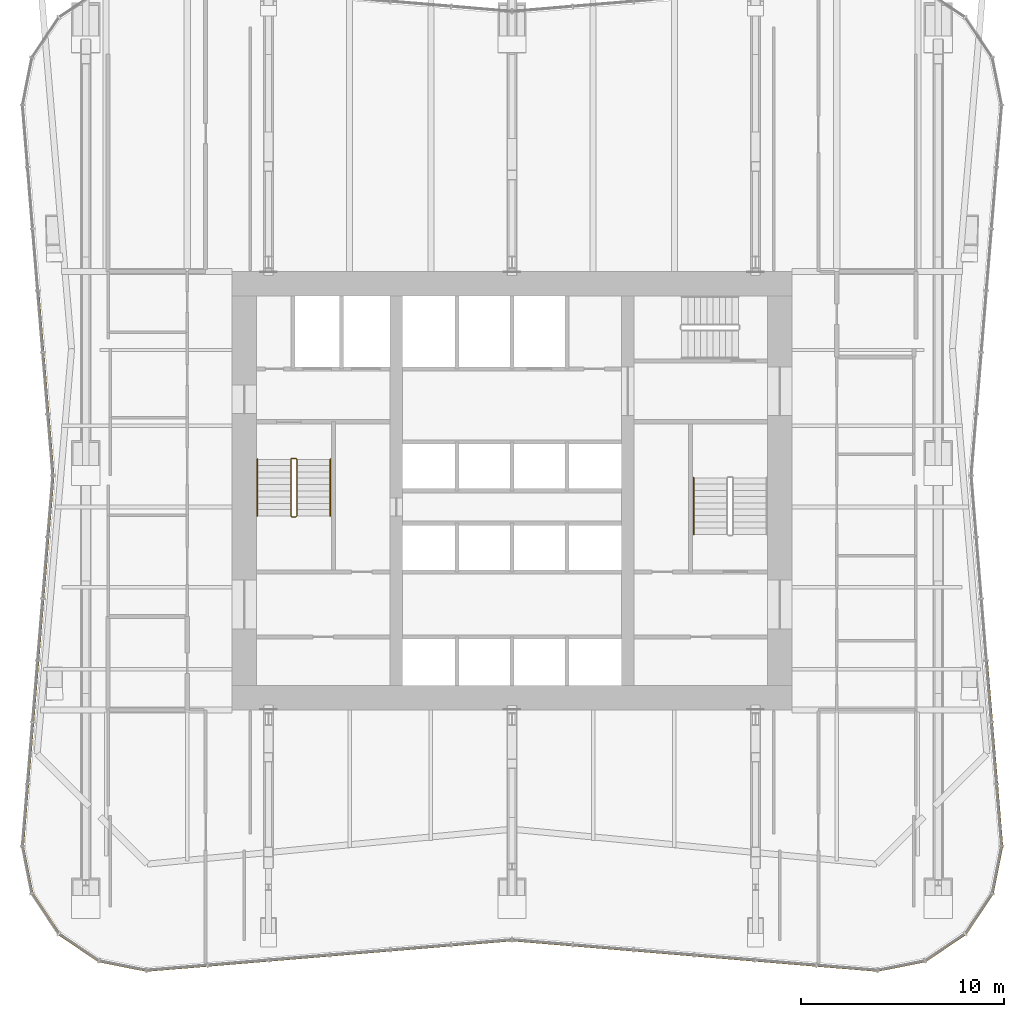
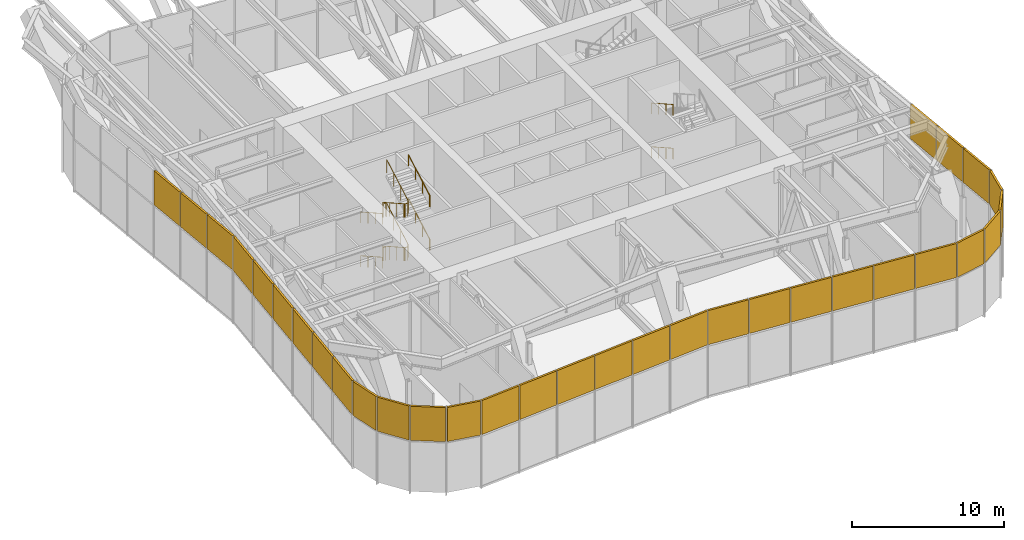
# One storey, part 15 of 17: 32 shading devices, 7 railings, 5 elements without a shape of their own.
"""IFC4 building model written with IfcOpenShell, lengths in metres."""

from ifc_helpers import new_model, si_unit, direction, frame, origin, origin_2d, place, context, subcontext, project, spatial, rectangle, circle, extrude, material, layer, layer_set, type_object, element, aggregate, save


model = new_model("IFC4")

# Units and contexts
model_context = context("Model", 3, precision=1e-05, world=origin(), true_north=direction((0.0, 1.0)))
body_context = subcontext(model_context, "Body", "Model", "MODEL_VIEW")
ifc_project = project(units=[si_unit("LENGTHUNIT", "METRE"), si_unit("AREAUNIT", "SQUARE_METRE"), si_unit("VOLUMEUNIT", "CUBIC_METRE"), si_unit("PLANEANGLEUNIT", "RADIAN"), si_unit("MASSUNIT", "GRAM", prefix="KILO")], contexts=[model_context])

# Site, building, storey
site_placement = place(None, origin())
site = spatial("IfcSite", under=ifc_project, at=site_placement, CompositionType="ELEMENT")
building_placement = place(site_placement, origin())
building = spatial("IfcBuilding", under=site, at=building_placement, Name="Verdant Reach Tower", CompositionType="ELEMENT")
storey_placement = place(building_placement, frame((0.0, 0.0, 114.0)))
storey = spatial("IfcBuildingStorey", under=building, at=storey_placement, Name="L26 Plant", CompositionType="ELEMENT", Elevation=114.0)

# Railings
ifc_material_1 = material(Name="Stainless steel", Category="steel")
railing_type_1 = type_object("IfcRailingType", Name="CO-GUARD", PredefinedType="GUARDRAIL", material=ifc_material_1)
railing_1_placement = place(storey_placement, frame((-10.64990234375, 29.60009765625, 0.0)))
element("IfcRailing", 1, at=railing_1_placement, inside=storey, type_object=railing_type_1, Name="L26 Plant ST-1 stair guard 1", PredefinedType="GUARDRAIL", context=body_context, shape_type="SweptSolid", body=[
    extrude(circle(Radius=0.02392578125, at=origin_2d()), frame((0.0, 0.0, 1.076171875), z_axis=(-1.0, 0.0, 0.0), x_axis=(0.0, -1.0, 0.0)), (0.0, 0.0, 1.0), 0.2001953125),
    extrude(circle(Radius=0.02392578125, at=origin_2d()), frame((-0.2001953125, 0.0, 1.076171875), z_axis=(-0.263862480399, -0.265155923931, 0.927399011991), x_axis=(0.708833529934, -0.705375805398, 0.0)), (0.0, 0.0, 1.0), 0.188720703125),
    extrude(circle(Radius=0.02392578125, at=origin_2d()), frame((-0.25, -0.050048828125, 1.2509765625), z_axis=(0.0, -0.870833779661, 0.491577591232), x_axis=(1.0, 0.0, 0.0)), (0.0, 0.0, 1.0), 3.203857421875),
    extrude(circle(Radius=0.02392578125, at=origin_2d()), frame((-0.25, -2.840087890625, 2.826171875), z_axis=(0.705375805398, -0.708833529934, 0.0), x_axis=(0.708833529934, 0.705375805398, 0.0)), (0.0, 0.0, 1.0), 0.070556640625),
    extrude(circle(Radius=0.02392578125, at=origin_2d()), frame((-0.2001953125, -2.89013671875, 2.826171875), z_axis=(1.0, 0.0, 0.0), x_axis=(0.0, 1.0, 0.0)), (0.0, 0.0, 1.0), 0.2001953125),
    extrude(circle(Radius=0.02392578125, at=origin_2d()), frame((0.0, -2.89013671875, 2.826171875), z_axis=(0.263862480399, 0.265155923931, 0.927399011991), x_axis=(-0.708833529934, 0.705375805398, 0.0)), (0.0, 0.0, 1.0), 0.188720703125),
    extrude(circle(Radius=0.02392578125, at=origin_2d()), frame((0.0498046875, -2.840087890625, 3.0009765625), z_axis=(0.0, 0.870833779661, 0.491577591232), x_axis=(-1.0, 0.0, 0.0)), (0.0, 0.0, 1.0), 3.203857421875),
    extrude(circle(Radius=0.02392578125, at=origin_2d()), frame((0.0498046875, -0.050048828125, 4.576171875), z_axis=(-0.705375805398, 0.708833529934, 0.0), x_axis=(-0.708833529934, -0.705375805398, 0.0)), (0.0, 0.0, 1.0), 0.070556640625),
    extrude(circle(Radius=0.02392578125, at=origin_2d()), frame((0.0, 0.0, 4.576171875), z_axis=(-1.0, 0.0, 0.0), x_axis=(0.0, -1.0, 0.0)), (0.0, 0.0, 1.0), 0.2001953125),
    extrude(circle(Radius=0.02392578125, at=origin_2d()), frame((-0.2001953125, 0.0, 4.576171875), z_axis=(-0.263862480399, -0.265155923931, 0.927399011991), x_axis=(0.708833529934, -0.705375805398, 0.0)), (0.0, 0.0, 1.0), 0.188720703125),
    extrude(circle(Radius=0.02392578125, at=origin_2d()), frame((-0.25, -0.050048828125, 4.7509765625), z_axis=(0.0, -0.870833779661, 0.491577591232), x_axis=(1.0, 0.0, 0.0)), (0.0, 0.0, 1.0), 3.203857421875),
    extrude(circle(Radius=0.02392578125, at=origin_2d()), frame((-0.25, -2.840087890625, 6.326171875), z_axis=(0.705375805398, -0.708833529934, 0.0), x_axis=(0.708833529934, 0.705375805398, 0.0)), (0.0, 0.0, 1.0), 0.070556640625),
    extrude(circle(Radius=0.02392578125, at=origin_2d()), frame((-0.2001953125, -2.89013671875, 6.326171875), z_axis=(1.0, 0.0, 0.0), x_axis=(0.0, 1.0, 0.0)), (0.0, 0.0, 1.0), 0.2001953125),
    extrude(circle(Radius=0.02392578125, at=origin_2d()), frame((0.0, -2.89013671875, 6.326171875), z_axis=(0.263862480399, 0.265155923931, 0.927399011991), x_axis=(-0.708833529934, 0.705375805398, 0.0)), (0.0, 0.0, 1.0), 0.188720703125),
    extrude(circle(Radius=0.02392578125, at=origin_2d()), frame((0.0498046875, -2.840087890625, 6.5009765625), z_axis=(0.0, 0.870833779661, 0.491577591232), x_axis=(-1.0, 0.0, 0.0)), (0.0, 0.0, 1.0), 3.203857421875),
    extrude(circle(Radius=0.02099609375, at=origin_2d()), origin(), (0.0, 0.0, 1.0), 1.052001953125),
    extrude(circle(Radius=0.02099609375, at=origin_2d()), frame((-0.2001953125, 0.0, 0.0)), (0.0, 0.0, 1.0), 1.052001953125),
    extrude(circle(Radius=0.02099609375, at=origin_2d()), frame((-0.25, -0.050048828125, 0.175048828125)), (0.0, 0.0, 1.0), 1.052001953125),
    extrude(circle(Radius=0.02099609375, at=origin_2d()), frame((-0.25, -0.97998046875, 0.699951171875)), (0.0, 0.0, 1.0), 1.052001953125),
    extrude(circle(Radius=0.02099609375, at=origin_2d()), frame((-0.25, -1.91015625, 1.22509765625)), (0.0, 0.0, 1.0), 1.052001953125),
    extrude(circle(Radius=0.02099609375, at=origin_2d()), frame((-0.25, -2.840087890625, 1.75)), (0.0, 0.0, 1.0), 1.052001953125),
    extrude(circle(Radius=0.02099609375, at=origin_2d()), frame((-0.2001953125, -2.89013671875, 1.75)), (0.0, 0.0, 1.0), 1.052001953125),
    extrude(circle(Radius=0.02099609375, at=origin_2d()), frame((0.0, -2.89013671875, 1.75)), (0.0, 0.0, 1.0), 1.052001953125),
    extrude(circle(Radius=0.02099609375, at=origin_2d()), frame((0.0498046875, -2.840087890625, 1.925048828125)), (0.0, 0.0, 1.0), 1.052001953125),
    extrude(circle(Radius=0.02099609375, at=origin_2d()), frame((0.0498046875, -1.91015625, 2.449951171875)), (0.0, 0.0, 1.0), 1.052001953125),
    extrude(circle(Radius=0.02099609375, at=origin_2d()), frame((0.0498046875, -0.97998046875, 2.97509765625)), (0.0, 0.0, 1.0), 1.052001953125),
    extrude(circle(Radius=0.02099609375, at=origin_2d()), frame((0.0498046875, -0.050048828125, 3.5)), (0.0, 0.0, 1.0), 1.052001953125),
    extrude(circle(Radius=0.02099609375, at=origin_2d()), frame((0.0, 0.0, 3.5)), (0.0, 0.0, 1.0), 1.052001953125),
    extrude(circle(Radius=0.02099609375, at=origin_2d()), frame((-0.2001953125, 0.0, 3.5)), (0.0, 0.0, 1.0), 1.052001953125),
    extrude(circle(Radius=0.02099609375, at=origin_2d()), frame((-0.25, -0.050048828125, 3.675048828125)), (0.0, 0.0, 1.0), 1.052001953125),
    extrude(circle(Radius=0.02099609375, at=origin_2d()), frame((-0.25, -0.97998046875, 4.199951171875)), (0.0, 0.0, 1.0), 1.052001953125),
    extrude(circle(Radius=0.02099609375, at=origin_2d()), frame((-0.25, -1.91015625, 4.72509765625)), (0.0, 0.0, 1.0), 1.052001953125),
    extrude(circle(Radius=0.02099609375, at=origin_2d()), frame((-0.25, -2.840087890625, 5.25)), (0.0, 0.0, 1.0), 1.052001953125),
    extrude(circle(Radius=0.02099609375, at=origin_2d()), frame((-0.2001953125, -2.89013671875, 5.25)), (0.0, 0.0, 1.0), 1.052001953125),
    extrude(circle(Radius=0.02099609375, at=origin_2d()), frame((0.0, -2.89013671875, 5.25)), (0.0, 0.0, 1.0), 1.052001953125),
    extrude(circle(Radius=0.02099609375, at=origin_2d()), frame((0.0498046875, -2.840087890625, 5.425048828125)), (0.0, 0.0, 1.0), 1.052001953125),
    extrude(circle(Radius=0.02099609375, at=origin_2d()), frame((0.0498046875, -1.91015625, 5.949951171875)), (0.0, 0.0, 1.0), 1.052001953125),
    extrude(circle(Radius=0.02099609375, at=origin_2d()), frame((0.0498046875, -0.97998046875, 6.47509765625)), (0.0, 0.0, 1.0), 1.052001953125),
    extrude(circle(Radius=0.02099609375, at=origin_2d()), frame((0.0498046875, -0.050048828125, 7.0)), (0.0, 0.0, 1.0), 1.052001953125),
])
railing_type_2 = type_object("IfcRailingType", Name="CO-HANDRAIL", PredefinedType="HANDRAIL", material=ifc_material_1)
railing_2_placement = place(storey_placement, frame((-12.550048828125, 29.550048828125, 0.175048828125)))
element("IfcRailing", 2, at=railing_2_placement, inside=storey, type_object=railing_type_2, Name="L26 Plant ST-1 stair handrail 1", PredefinedType="HANDRAIL", context=body_context, shape_type="SweptSolid", body=[
    extrude(circle(Radius=0.02392578125, at=origin_2d()), frame((0.0, 0.0, 0.8759765625), z_axis=(0.0, -0.870833779661, 0.491577591232), x_axis=(1.0, 0.0, 0.0)), (0.0, 0.0, 1.0), 3.203857421875),
    extrude(circle(Radius=0.02099609375, at=origin_2d()), origin(), (0.0, 0.0, 1.0), 0.851806640625),
    extrude(circle(Radius=0.02099609375, at=origin_2d()), frame((0.0, -0.929931640625, 0.52490234375)), (0.0, 0.0, 1.0), 0.851806640625),
    extrude(circle(Radius=0.02099609375, at=origin_2d()), frame((0.0, -1.860107421875, 1.050048828125)), (0.0, 0.0, 1.0), 0.851806640625),
    extrude(circle(Radius=0.02099609375, at=origin_2d()), frame((0.0, -2.7900390625, 1.574951171875)), (0.0, 0.0, 1.0), 0.851806640625),
])
railing_3_placement = place(storey_placement, frame((-8.949951171875, 26.760009765625, 1.925048828125)))
element("IfcRailing", 3, at=railing_3_placement, inside=storey, type_object=railing_type_2, Name="L26 Plant ST-1 stair handrail 2", PredefinedType="HANDRAIL", context=body_context, shape_type="SweptSolid", body=[
    extrude(circle(Radius=0.02392578125, at=origin_2d()), frame((0.0, 0.0, 0.8759765625), z_axis=(0.0, 0.870833779661, 0.491577591232), x_axis=(-1.0, 0.0, 0.0)), (0.0, 0.0, 1.0), 3.203857421875),
    extrude(circle(Radius=0.02099609375, at=origin_2d()), origin(), (0.0, 0.0, 1.0), 0.851806640625),
    extrude(circle(Radius=0.02099609375, at=origin_2d()), frame((0.0, 0.929931640625, 0.52490234375)), (0.0, 0.0, 1.0), 0.851806640625),
    extrude(circle(Radius=0.02099609375, at=origin_2d()), frame((0.0, 1.860107421875, 1.050048828125)), (0.0, 0.0, 1.0), 0.851806640625),
    extrude(circle(Radius=0.02099609375, at=origin_2d()), frame((0.0, 2.7900390625, 1.574951171875)), (0.0, 0.0, 1.0), 0.851806640625),
])
railing_4_placement = place(storey_placement, frame((-12.550048828125, 29.550048828125, 3.675048828125)))
element("IfcRailing", 4, at=railing_4_placement, inside=storey, type_object=railing_type_2, Name="L26 Plant ST-1 stair handrail 3", PredefinedType="HANDRAIL", context=body_context, shape_type="SweptSolid", body=[
    extrude(circle(Radius=0.02392578125, at=origin_2d()), frame((0.0, 0.0, 0.8759765625), z_axis=(0.0, -0.870833779661, 0.491577591232), x_axis=(1.0, 0.0, 0.0)), (0.0, 0.0, 1.0), 3.203857421875),
    extrude(circle(Radius=0.02099609375, at=origin_2d()), origin(), (0.0, 0.0, 1.0), 0.851806640625),
    extrude(circle(Radius=0.02099609375, at=origin_2d()), frame((0.0, -0.929931640625, 0.52490234375)), (0.0, 0.0, 1.0), 0.851806640625),
    extrude(circle(Radius=0.02099609375, at=origin_2d()), frame((0.0, -1.860107421875, 1.050048828125)), (0.0, 0.0, 1.0), 0.851806640625),
    extrude(circle(Radius=0.02099609375, at=origin_2d()), frame((0.0, -2.7900390625, 1.574951171875)), (0.0, 0.0, 1.0), 0.851806640625),
])
railing_5_placement = place(storey_placement, frame((-8.949951171875, 26.760009765625, 5.425048828125)))
element("IfcRailing", 5, at=railing_5_placement, inside=storey, type_object=railing_type_2, Name="L26 Plant ST-1 stair handrail 4", PredefinedType="HANDRAIL", context=body_context, shape_type="SweptSolid", body=[
    extrude(circle(Radius=0.02392578125, at=origin_2d()), frame((0.0, 0.0, 0.8759765625), z_axis=(0.0, 0.870833779661, 0.491577591232), x_axis=(-1.0, 0.0, 0.0)), (0.0, 0.0, 1.0), 3.203857421875),
    extrude(circle(Radius=0.02099609375, at=origin_2d()), origin(), (0.0, 0.0, 1.0), 0.851806640625),
    extrude(circle(Radius=0.02099609375, at=origin_2d()), frame((0.0, 0.929931640625, 0.52490234375)), (0.0, 0.0, 1.0), 0.851806640625),
    extrude(circle(Radius=0.02099609375, at=origin_2d()), frame((0.0, 1.860107421875, 1.050048828125)), (0.0, 0.0, 1.0), 0.851806640625),
    extrude(circle(Radius=0.02099609375, at=origin_2d()), frame((0.0, 2.7900390625, 1.574951171875)), (0.0, 0.0, 1.0), 0.851806640625),
])
for number, where, name in (
    (6, (8.949951171875, 28.639892578125, 1.925048828125), "L26 Plant ST-2 stair handrail 2"),
    (7, (8.949951171875, 28.639892578125, 5.425048828125), "L26 Plant ST-2 stair handrail 4"),
):
    element("IfcRailing", number, at=place(storey_placement, frame(where)), inside=storey, type_object=railing_type_2, Name=name, PredefinedType="HANDRAIL", context=body_context, shape_type="SweptSolid", body=[
        extrude(circle(Radius=0.02392578125, at=origin_2d()), frame((0.0, 0.0, 0.8759765625), z_axis=(0.0, -0.870815363784, 0.491610213684), x_axis=(1.0, 0.0, 0.0)), (0.0, 0.0, 1.0), 3.20361328125),
        extrude(circle(Radius=0.02099609375, at=origin_2d()), origin(), (0.0, 0.0, 1.0), 0.851806640625),
        extrude(circle(Radius=0.02099609375, at=origin_2d()), frame((0.0, -0.929931640625, 0.52490234375)), (0.0, 0.0, 1.0), 0.851806640625),
        extrude(circle(Radius=0.02099609375, at=origin_2d()), frame((0.0, -1.85986328125, 1.050048828125)), (0.0, 0.0, 1.0), 0.851806640625),
        extrude(circle(Radius=0.02099609375, at=origin_2d()), frame((0.0, -2.789794921875, 1.574951171875)), (0.0, 0.0, 1.0), 0.851806640625),
    ])

# Curtain wall, shading devices
ifc_material_2 = material(Name="Anodised aluminium", Category="aluminium")
curtain_wall_type = type_object("IfcCurtainWallType", Name="EN-CW SYSTEM PLANT", PredefinedType="NOTDEFINED", material=ifc_material_2)
curtain_wall_1_placement = place(storey_placement, origin())
curtain_wall_1 = element("IfcCurtainWall", 8, at=curtain_wall_1_placement, inside=storey, type_object=curtain_wall_type, Name="Curtain wall south-east corner, L26", PredefinedType="NOTDEFINED")
ifc_material_3 = material(Name="Bronze anodised aluminium louvre", Category="aluminium")
ifc_layer = layer(ifc_material_3, 0.14990234375)
ifc_layer_set = layer_set([ifc_layer], Name="EN-LOUVRE")
shading_device_type = type_object("IfcShadingDeviceType", Name="EN-LOUVRE", PredefinedType="USERDEFINED", material=ifc_layer_set)
shading_device_1_placement = place(storey_placement, frame((19.174072265625, 4.614013671875, 3.925048828125), z_axis=(0.0, 0.0, 1.0), x_axis=(0.980694678629, 0.195545256419, 0.0)))
shading_device_1 = element("IfcShadingDevice", 9, at=shading_device_1_placement, type_object=shading_device_type, Name="Louvre bank south-east corner 1, L26", ObjectType="LOUVRE", PredefinedType="USERDEFINED", context=body_context, shape_type="SweptSolid", body=[
    extrude(rectangle(XDim=2.304931640625, YDim=0.14990234375, at=origin_2d()), origin(), (0.0, 0.0, 1.0), 2.72509765625),
])
shading_device_2_placement = place(storey_placement, frame((21.334228515625, 5.510009765625, 3.925048828125), z_axis=(0.0, 0.0, 1.0), x_axis=(0.83145208321, 0.555596466265, 0.0)))
shading_device_2 = element("IfcShadingDevice", 10, at=shading_device_2_placement, type_object=shading_device_type, Name="Louvre bank south-east corner 2, L26", ObjectType="LOUVRE", PredefinedType="USERDEFINED", context=body_context, shape_type="SweptSolid", body=[
    extrude(rectangle(XDim=2.3115234375, YDim=0.14990234375, at=origin_2d()), origin(), (0.0, 0.0, 1.0), 2.72509765625),
])
shading_device_3_placement = place(storey_placement, frame((22.989990234375, 7.165771484375, 3.925048828125), z_axis=(0.0, 0.0, 1.0), x_axis=(0.555596466265, 0.83145208321, 0.0)))
shading_device_3 = element("IfcShadingDevice", 11, at=shading_device_3_placement, type_object=shading_device_type, Name="Louvre bank south-east corner 3, L26", ObjectType="LOUVRE", PredefinedType="USERDEFINED", context=body_context, shape_type="SweptSolid", body=[
    extrude(rectangle(XDim=2.3115234375, YDim=0.14990234375, at=origin_2d()), origin(), (0.0, 0.0, 1.0), 2.72509765625),
])
shading_device_4_placement = place(storey_placement, frame((23.885986328125, 9.32568359375, 3.925048828125), z_axis=(0.0, 0.0, 1.0), x_axis=(0.195549132142, 0.980693905823, 0.0)))
shading_device_4 = element("IfcShadingDevice", 12, at=shading_device_4_placement, type_object=shading_device_type, Name="Louvre bank south-east corner 4, L26", ObjectType="LOUVRE", PredefinedType="USERDEFINED", context=body_context, shape_type="SweptSolid", body=[
    extrude(rectangle(XDim=2.3046875, YDim=0.14990234375, at=origin_2d()), origin(), (0.0, 0.0, 1.0), 2.72509765625),
])
aggregate(curtain_wall_1, [shading_device_1, shading_device_2, shading_device_3, shading_device_4])

curtain_wall_2_placement = place(storey_placement, origin())
curtain_wall_2 = element("IfcCurtainWall", 13, at=curtain_wall_2_placement, inside=storey, type_object=curtain_wall_type, Name="Curtain wall east, L26", PredefinedType="NOTDEFINED")
shading_device_5_placement = place(storey_placement, frame((23.99365234375, 12.022216796875, 3.925048828125), z_axis=(0.0, 0.0, 1.0), x_axis=(-0.081541826124, 0.996669920582, 0.0)))
shading_device_5 = element("IfcShadingDevice", 14, at=shading_device_5_placement, type_object=shading_device_type, Name="Louvre bank east face part 1 1, L26", ObjectType="LOUVRE", PredefinedType="USERDEFINED", context=body_context, shape_type="SweptSolid", body=[
    extrude(rectangle(XDim=2.992431640625, YDim=0.14990234375, at=origin_2d()), origin(), (0.0, 0.0, 1.0), 2.72509765625),
])
shading_device_6_placement = place(storey_placement, frame((23.74365234375, 15.072265625, 3.925048828125), z_axis=(0.0, 0.0, 1.0), x_axis=(-0.081915556724, 0.996639273542, 0.0)))
shading_device_6 = element("IfcShadingDevice", 15, at=shading_device_6_placement, type_object=shading_device_type, Name="Louvre bank east face part 1 2, L26", ObjectType="LOUVRE", PredefinedType="USERDEFINED", context=body_context, shape_type="SweptSolid", body=[
    extrude(rectangle(XDim=2.975830078125, YDim=0.14990234375, at=origin_2d()), origin(), (0.0, 0.0, 1.0), 2.72509765625),
])
shading_device_7_placement = place(storey_placement, frame((23.49365234375, 18.114013671875, 3.925048828125), z_axis=(0.0, 0.0, 1.0), x_axis=(-0.081915556724, 0.996639273542, 0.0)))
shading_device_7 = element("IfcShadingDevice", 16, at=shading_device_7_placement, type_object=shading_device_type, Name="Louvre bank east face part 1 3, L26", ObjectType="LOUVRE", PredefinedType="USERDEFINED", context=body_context, shape_type="SweptSolid", body=[
    extrude(rectangle(XDim=2.975830078125, YDim=0.14990234375, at=origin_2d()), origin(), (0.0, 0.0, 1.0), 2.72509765625),
])
aggregate(curtain_wall_2, [shading_device_5, shading_device_6, shading_device_7])

curtain_wall_3_placement = place(storey_placement, origin())
curtain_wall_3 = element("IfcCurtainWall", 17, at=curtain_wall_3_placement, inside=storey, type_object=curtain_wall_type, Name="Curtain wall west, L26", PredefinedType="NOTDEFINED")
shading_device_8_placement = place(storey_placement, frame((-23.24365234375, 36.344482421875, 3.925048828125), z_axis=(0.0, 0.0, 1.0), x_axis=(0.081915556724, -0.996639273542, 0.0)))
shading_device_8 = element("IfcShadingDevice", 18, at=shading_device_8_placement, type_object=shading_device_type, Name="Louvre bank west face part 1 4, L26", ObjectType="LOUVRE", PredefinedType="USERDEFINED", context=body_context, shape_type="SweptSolid", body=[
    extrude(rectangle(XDim=2.975830078125, YDim=0.14990234375, at=origin_2d()), origin(), (0.0, 0.0, 1.0), 2.72509765625),
])
shading_device_9_placement = place(storey_placement, frame((-22.99365234375, 33.302734375, 3.925048828125), z_axis=(0.0, 0.0, 1.0), x_axis=(0.081915556724, -0.996639273542, 0.0)))
shading_device_9 = element("IfcShadingDevice", 19, at=shading_device_9_placement, type_object=shading_device_type, Name="Louvre bank west face part 1 5, L26", ObjectType="LOUVRE", PredefinedType="USERDEFINED", context=body_context, shape_type="SweptSolid", body=[
    extrude(rectangle(XDim=2.975830078125, YDim=0.14990234375, at=origin_2d()), origin(), (0.0, 0.0, 1.0), 2.72509765625),
])
shading_device_10_placement = place(storey_placement, frame((-22.743896484375, 30.265869140625, 3.925048828125), z_axis=(0.0, 0.0, 1.0), x_axis=(0.08204657489, -0.996628496256, 0.0)))
shading_device_10 = element("IfcShadingDevice", 20, at=shading_device_10_placement, type_object=shading_device_type, Name="Louvre bank west face part 1 6, L26", ObjectType="LOUVRE", PredefinedType="USERDEFINED", context=body_context, shape_type="SweptSolid", body=[
    extrude(rectangle(XDim=2.966064453125, YDim=0.14990234375, at=origin_2d()), origin(), (0.0, 0.0, 1.0), 2.72509765625),
])
shading_device_11_placement = place(storey_placement, frame((-22.743896484375, 27.234130859375, 3.925048828125), z_axis=(0.0, 0.0, 1.0), x_axis=(-0.08204657489, -0.996628496256, 0.0)))
shading_device_11 = element("IfcShadingDevice", 21, at=shading_device_11_placement, type_object=shading_device_type, Name="Louvre bank west face part 2 1, L26", ObjectType="LOUVRE", PredefinedType="USERDEFINED", context=body_context, shape_type="SweptSolid", body=[
    extrude(rectangle(XDim=2.966064453125, YDim=0.14990234375, at=origin_2d()), origin(), (0.0, 0.0, 1.0), 2.72509765625),
])
shading_device_12_placement = place(storey_placement, frame((-22.99365234375, 24.197265625, 3.925048828125), z_axis=(0.0, 0.0, 1.0), x_axis=(-0.081915556724, -0.996639273542, 0.0)))
shading_device_12 = element("IfcShadingDevice", 22, at=shading_device_12_placement, type_object=shading_device_type, Name="Louvre bank west face part 2 2, L26", ObjectType="LOUVRE", PredefinedType="USERDEFINED", context=body_context, shape_type="SweptSolid", body=[
    extrude(rectangle(XDim=2.975830078125, YDim=0.14990234375, at=origin_2d()), origin(), (0.0, 0.0, 1.0), 2.72509765625),
])
shading_device_13_placement = place(storey_placement, frame((-23.24365234375, 21.155517578125, 3.925048828125), z_axis=(0.0, 0.0, 1.0), x_axis=(-0.081915556724, -0.996639273542, 0.0)))
shading_device_13 = element("IfcShadingDevice", 23, at=shading_device_13_placement, type_object=shading_device_type, Name="Louvre bank west face part 2 3, L26", ObjectType="LOUVRE", PredefinedType="USERDEFINED", context=body_context, shape_type="SweptSolid", body=[
    extrude(rectangle(XDim=2.975830078125, YDim=0.14990234375, at=origin_2d()), origin(), (0.0, 0.0, 1.0), 2.72509765625),
])
shading_device_14_placement = place(storey_placement, frame((-23.49365234375, 18.114013671875, 3.925048828125), z_axis=(0.0, 0.0, 1.0), x_axis=(-0.081915556724, -0.996639273542, 0.0)))
shading_device_14 = element("IfcShadingDevice", 24, at=shading_device_14_placement, type_object=shading_device_type, Name="Louvre bank west face part 2 4, L26", ObjectType="LOUVRE", PredefinedType="USERDEFINED", context=body_context, shape_type="SweptSolid", body=[
    extrude(rectangle(XDim=2.975830078125, YDim=0.14990234375, at=origin_2d()), origin(), (0.0, 0.0, 1.0), 2.72509765625),
])
shading_device_15_placement = place(storey_placement, frame((-23.74365234375, 15.072265625, 3.925048828125), z_axis=(0.0, 0.0, 1.0), x_axis=(-0.081915556724, -0.996639273542, 0.0)))
shading_device_15 = element("IfcShadingDevice", 25, at=shading_device_15_placement, type_object=shading_device_type, Name="Louvre bank west face part 2 5, L26", ObjectType="LOUVRE", PredefinedType="USERDEFINED", context=body_context, shape_type="SweptSolid", body=[
    extrude(rectangle(XDim=2.975830078125, YDim=0.14990234375, at=origin_2d()), origin(), (0.0, 0.0, 1.0), 2.72509765625),
])
shading_device_16_placement = place(storey_placement, frame((-23.99365234375, 12.022216796875, 3.925048828125), z_axis=(0.0, 0.0, 1.0), x_axis=(-0.081541826124, -0.996669920582, 0.0)))
shading_device_16 = element("IfcShadingDevice", 26, at=shading_device_16_placement, type_object=shading_device_type, Name="Louvre bank west face part 2 6, L26", ObjectType="LOUVRE", PredefinedType="USERDEFINED", context=body_context, shape_type="SweptSolid", body=[
    extrude(rectangle(XDim=2.992431640625, YDim=0.14990234375, at=origin_2d()), origin(), (0.0, 0.0, 1.0), 2.72509765625),
])
aggregate(curtain_wall_3, [shading_device_8, shading_device_9, shading_device_10, shading_device_11, shading_device_12, shading_device_13, shading_device_14, shading_device_15, shading_device_16])

curtain_wall_4_placement = place(storey_placement, origin())
curtain_wall_4 = element("IfcCurtainWall", 27, at=curtain_wall_4_placement, inside=storey, type_object=curtain_wall_type, Name="Curtain wall south-west corner, L26", PredefinedType="NOTDEFINED")
shading_device_17_placement = place(storey_placement, frame((-23.885986328125, 9.32568359375, 3.925048828125), z_axis=(0.0, 0.0, 1.0), x_axis=(0.195549132142, -0.980693905823, 0.0)))
shading_device_17 = element("IfcShadingDevice", 28, at=shading_device_17_placement, type_object=shading_device_type, Name="Louvre bank south-west corner 1, L26", ObjectType="LOUVRE", PredefinedType="USERDEFINED", context=body_context, shape_type="SweptSolid", body=[
    extrude(rectangle(XDim=2.3046875, YDim=0.14990234375, at=origin_2d()), origin(), (0.0, 0.0, 1.0), 2.72509765625),
])
shading_device_18_placement = place(storey_placement, frame((-22.989990234375, 7.165771484375, 3.925048828125), z_axis=(0.0, 0.0, 1.0), x_axis=(0.555596466265, -0.83145208321, 0.0)))
shading_device_18 = element("IfcShadingDevice", 29, at=shading_device_18_placement, type_object=shading_device_type, Name="Louvre bank south-west corner 2, L26", ObjectType="LOUVRE", PredefinedType="USERDEFINED", context=body_context, shape_type="SweptSolid", body=[
    extrude(rectangle(XDim=2.3115234375, YDim=0.14990234375, at=origin_2d()), origin(), (0.0, 0.0, 1.0), 2.72509765625),
])
shading_device_19_placement = place(storey_placement, frame((-21.334228515625, 5.510009765625, 3.925048828125), z_axis=(0.0, 0.0, 1.0), x_axis=(0.83145208321, -0.555596466265, 0.0)))
shading_device_19 = element("IfcShadingDevice", 30, at=shading_device_19_placement, type_object=shading_device_type, Name="Louvre bank south-west corner 3, L26", ObjectType="LOUVRE", PredefinedType="USERDEFINED", context=body_context, shape_type="SweptSolid", body=[
    extrude(rectangle(XDim=2.3115234375, YDim=0.14990234375, at=origin_2d()), origin(), (0.0, 0.0, 1.0), 2.72509765625),
])
shading_device_20_placement = place(storey_placement, frame((-19.174072265625, 4.614013671875, 3.925048828125), z_axis=(0.0, 0.0, 1.0), x_axis=(0.980694678629, -0.195545256419, 0.0)))
shading_device_20 = element("IfcShadingDevice", 31, at=shading_device_20_placement, type_object=shading_device_type, Name="Louvre bank south-west corner 4, L26", ObjectType="LOUVRE", PredefinedType="USERDEFINED", context=body_context, shape_type="SweptSolid", body=[
    extrude(rectangle(XDim=2.304931640625, YDim=0.14990234375, at=origin_2d()), origin(), (0.0, 0.0, 1.0), 2.72509765625),
])
aggregate(curtain_wall_4, [shading_device_17, shading_device_18, shading_device_19, shading_device_20])

curtain_wall_5_placement = place(storey_placement, origin())
curtain_wall_5 = element("IfcCurtainWall", 32, at=curtain_wall_5_placement, inside=storey, type_object=curtain_wall_type, Name="Curtain wall south, L26", PredefinedType="NOTDEFINED")
shading_device_21_placement = place(storey_placement, frame((-16.49853515625, 4.50634765625, 3.925048828125), z_axis=(0.0, 0.0, 1.0), x_axis=(0.996577509664, 0.082663578629, 0.0)))
shading_device_21 = element("IfcShadingDevice", 33, at=shading_device_21_placement, type_object=shading_device_type, Name="Louvre bank south face part 1 1, L26", ObjectType="LOUVRE", PredefinedType="USERDEFINED", context=body_context, shape_type="SweptSolid", body=[
    extrude(rectangle(XDim=2.950927734375, YDim=0.14990234375, at=origin_2d()), origin(), (0.0, 0.0, 1.0), 2.72509765625),
])
shading_device_22_placement = place(storey_placement, frame((-13.490234375, 4.75634765625, 3.925048828125), z_axis=(0.0, 0.0, 1.0), x_axis=(0.996545758244, 0.083045479859, 0.0)))
shading_device_22 = element("IfcShadingDevice", 34, at=shading_device_22_placement, type_object=shading_device_type, Name="Louvre bank south face part 1 2, L26", ObjectType="LOUVRE", PredefinedType="USERDEFINED", context=body_context, shape_type="SweptSolid", body=[
    extrude(rectangle(XDim=2.934326171875, YDim=0.14990234375, at=origin_2d()), origin(), (0.0, 0.0, 1.0), 2.72509765625),
])
shading_device_23_placement = place(storey_placement, frame((-10.490234375, 5.00634765625, 3.925048828125), z_axis=(0.0, 0.0, 1.0), x_axis=(0.996545758244, 0.083045479859, 0.0)))
shading_device_23 = element("IfcShadingDevice", 35, at=shading_device_23_placement, type_object=shading_device_type, Name="Louvre bank south face part 1 3, L26", ObjectType="LOUVRE", PredefinedType="USERDEFINED", context=body_context, shape_type="SweptSolid", body=[
    extrude(rectangle(XDim=2.934326171875, YDim=0.14990234375, at=origin_2d()), origin(), (0.0, 0.0, 1.0), 2.72509765625),
])
shading_device_24_placement = place(storey_placement, frame((-7.490234375, 5.25634765625, 3.925048828125), z_axis=(0.0, 0.0, 1.0), x_axis=(0.996545758244, 0.083045479859, 0.0)))
shading_device_24 = element("IfcShadingDevice", 36, at=shading_device_24_placement, type_object=shading_device_type, Name="Louvre bank south face part 1 4, L26", ObjectType="LOUVRE", PredefinedType="USERDEFINED", context=body_context, shape_type="SweptSolid", body=[
    extrude(rectangle(XDim=2.934326171875, YDim=0.14990234375, at=origin_2d()), origin(), (0.0, 0.0, 1.0), 2.72509765625),
])
shading_device_25_placement = place(storey_placement, frame((-4.490234375, 5.50634765625, 3.925048828125), z_axis=(0.0, 0.0, 1.0), x_axis=(0.996545758244, 0.083045479859, 0.0)))
shading_device_25 = element("IfcShadingDevice", 37, at=shading_device_25_placement, type_object=shading_device_type, Name="Louvre bank south face part 1 5, L26", ObjectType="LOUVRE", PredefinedType="USERDEFINED", context=body_context, shape_type="SweptSolid", body=[
    extrude(rectangle(XDim=2.934326171875, YDim=0.14990234375, at=origin_2d()), origin(), (0.0, 0.0, 1.0), 2.72509765625),
])
shading_device_26_placement = place(storey_placement, frame((-1.4951171875, 5.756103515625, 3.925048828125), z_axis=(0.0, 0.0, 1.0), x_axis=(0.996534372104, 0.083182000546, 0.0)))
shading_device_26 = element("IfcShadingDevice", 38, at=shading_device_26_placement, type_object=shading_device_type, Name="Louvre bank south face part 1 6, L26", ObjectType="LOUVRE", PredefinedType="USERDEFINED", context=body_context, shape_type="SweptSolid", body=[
    extrude(rectangle(XDim=2.924560546875, YDim=0.14990234375, at=origin_2d()), origin(), (0.0, 0.0, 1.0), 2.72509765625),
])
shading_device_27_placement = place(storey_placement, frame((1.4951171875, 5.756103515625, 3.925048828125), z_axis=(0.0, 0.0, 1.0), x_axis=(0.996534372104, -0.083182000546, 0.0)))
shading_device_27 = element("IfcShadingDevice", 39, at=shading_device_27_placement, type_object=shading_device_type, Name="Louvre bank south face part 2 1, L26", ObjectType="LOUVRE", PredefinedType="USERDEFINED", context=body_context, shape_type="SweptSolid", body=[
    extrude(rectangle(XDim=2.924560546875, YDim=0.14990234375, at=origin_2d()), origin(), (0.0, 0.0, 1.0), 2.72509765625),
])
shading_device_28_placement = place(storey_placement, frame((4.490234375, 5.50634765625, 3.925048828125), z_axis=(0.0, 0.0, 1.0), x_axis=(0.996545758244, -0.083045479859, 0.0)))
shading_device_28 = element("IfcShadingDevice", 40, at=shading_device_28_placement, type_object=shading_device_type, Name="Louvre bank south face part 2 2, L26", ObjectType="LOUVRE", PredefinedType="USERDEFINED", context=body_context, shape_type="SweptSolid", body=[
    extrude(rectangle(XDim=2.934326171875, YDim=0.14990234375, at=origin_2d()), origin(), (0.0, 0.0, 1.0), 2.72509765625),
])
shading_device_29_placement = place(storey_placement, frame((7.490234375, 5.25634765625, 3.925048828125), z_axis=(0.0, 0.0, 1.0), x_axis=(0.996545758244, -0.083045479859, 0.0)))
shading_device_29 = element("IfcShadingDevice", 41, at=shading_device_29_placement, type_object=shading_device_type, Name="Louvre bank south face part 2 3, L26", ObjectType="LOUVRE", PredefinedType="USERDEFINED", context=body_context, shape_type="SweptSolid", body=[
    extrude(rectangle(XDim=2.934326171875, YDim=0.14990234375, at=origin_2d()), origin(), (0.0, 0.0, 1.0), 2.72509765625),
])
shading_device_30_placement = place(storey_placement, frame((10.490234375, 5.00634765625, 3.925048828125), z_axis=(0.0, 0.0, 1.0), x_axis=(0.996545758244, -0.083045479859, 0.0)))
shading_device_30 = element("IfcShadingDevice", 42, at=shading_device_30_placement, type_object=shading_device_type, Name="Louvre bank south face part 2 4, L26", ObjectType="LOUVRE", PredefinedType="USERDEFINED", context=body_context, shape_type="SweptSolid", body=[
    extrude(rectangle(XDim=2.934326171875, YDim=0.14990234375, at=origin_2d()), origin(), (0.0, 0.0, 1.0), 2.72509765625),
])
shading_device_31_placement = place(storey_placement, frame((13.490234375, 4.75634765625, 3.925048828125), z_axis=(0.0, 0.0, 1.0), x_axis=(0.996545758244, -0.083045479859, 0.0)))
shading_device_31 = element("IfcShadingDevice", 43, at=shading_device_31_placement, type_object=shading_device_type, Name="Louvre bank south face part 2 5, L26", ObjectType="LOUVRE", PredefinedType="USERDEFINED", context=body_context, shape_type="SweptSolid", body=[
    extrude(rectangle(XDim=2.934326171875, YDim=0.14990234375, at=origin_2d()), origin(), (0.0, 0.0, 1.0), 2.72509765625),
])
shading_device_32_placement = place(storey_placement, frame((16.49853515625, 4.50634765625, 3.925048828125), z_axis=(0.0, 0.0, 1.0), x_axis=(0.996577509664, -0.082663578629, 0.0)))
shading_device_32 = element("IfcShadingDevice", 44, at=shading_device_32_placement, type_object=shading_device_type, Name="Louvre bank south face part 2 6, L26", ObjectType="LOUVRE", PredefinedType="USERDEFINED", context=body_context, shape_type="SweptSolid", body=[
    extrude(rectangle(XDim=2.950927734375, YDim=0.14990234375, at=origin_2d()), origin(), (0.0, 0.0, 1.0), 2.72509765625),
])
aggregate(curtain_wall_5, [shading_device_21, shading_device_22, shading_device_23, shading_device_24, shading_device_25, shading_device_26, shading_device_27, shading_device_28, shading_device_29, shading_device_30, shading_device_31, shading_device_32])

save(model, "model.ifc")
